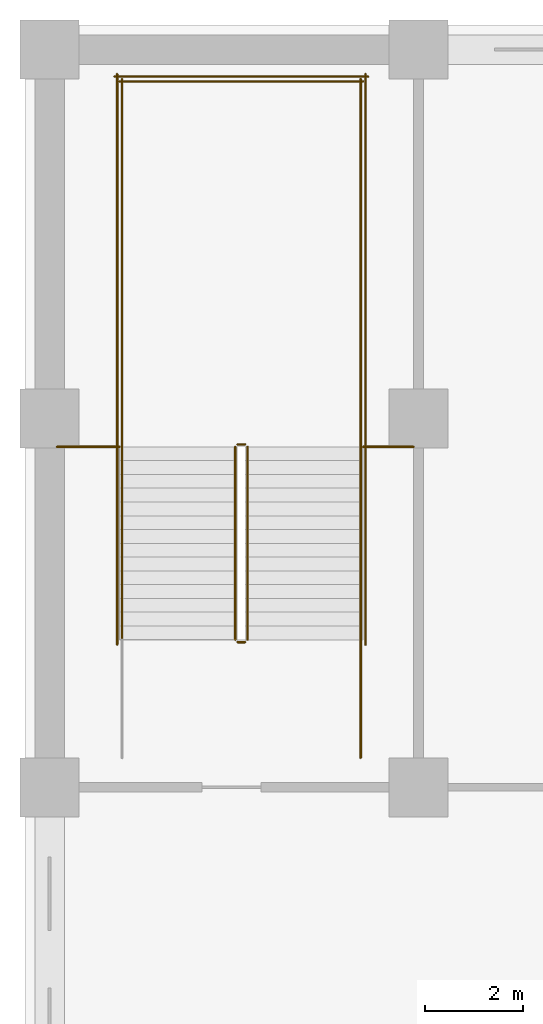
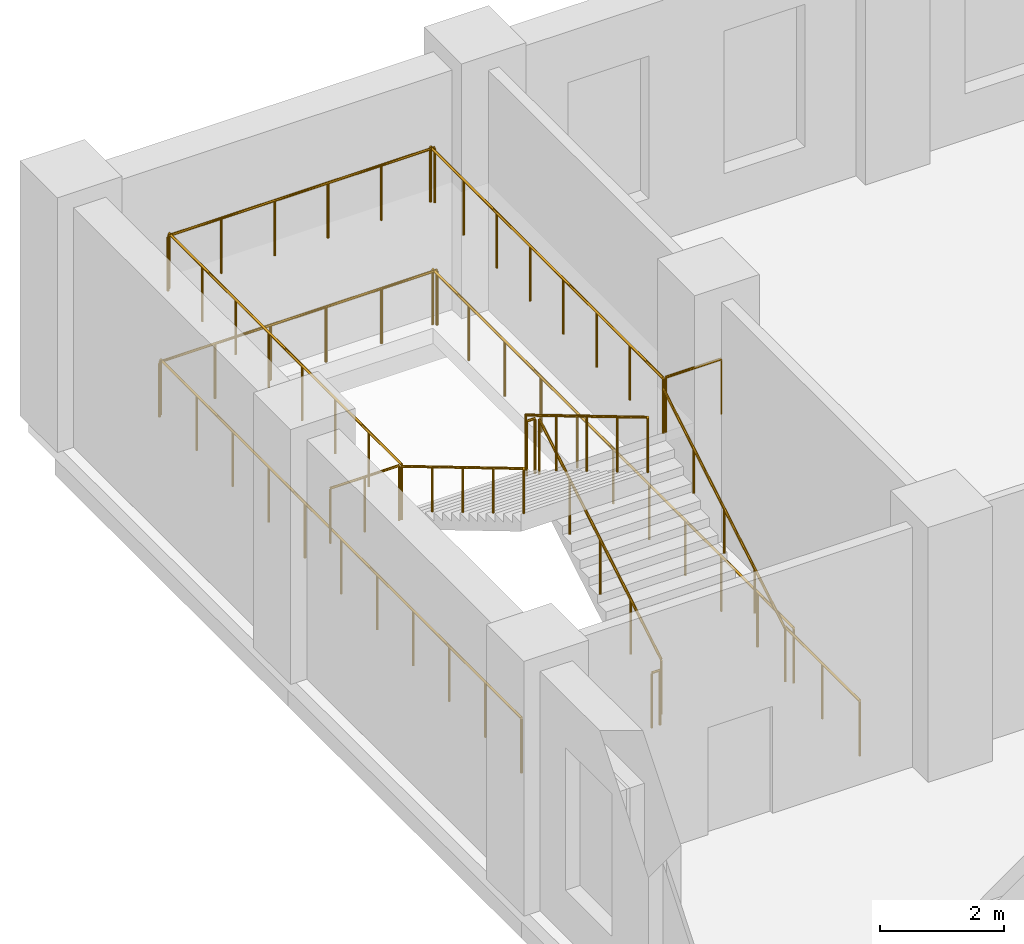
# One storey, part 21 of 22: 15 railings.
"""IFC4 building model written with IfcOpenShell, lengths in metres."""

from ifc_helpers import new_model, si_unit, direction, frame, origin, origin_2d, place, context, subcontext, project, spatial, circle, extrude, material, type_object, element, save


model = new_model("IFC4")

# Units and contexts
model_context = context("Model", 3, precision=1e-05, world=origin(), true_north=direction((0.0, 1.0)))
body_context = subcontext(model_context, "Body", "Model", "MODEL_VIEW")
ifc_project = project(units=[si_unit("LENGTHUNIT", "METRE"), si_unit("AREAUNIT", "SQUARE_METRE"), si_unit("VOLUMEUNIT", "CUBIC_METRE"), si_unit("PLANEANGLEUNIT", "RADIAN"), si_unit("MASSUNIT", "GRAM", prefix="KILO")], contexts=[model_context])

# Site, building, storey
site_placement = place(None, origin())
site = spatial("IfcSite", under=ifc_project, at=site_placement, CompositionType="ELEMENT")
building_placement = place(site_placement, origin())
building = spatial("IfcBuilding", under=site, at=building_placement, Name="Tamorin Gate", CompositionType="ELEMENT")
storey_placement = place(building_placement, frame((0.0, 0.0, 29.0)))
storey = spatial("IfcBuildingStorey", under=building, at=storey_placement, Name="L05", CompositionType="ELEMENT", Elevation=29.0)

# Railings
ifc_material = material(Name="Steel", Category="steel")
railing_type_1 = type_object("IfcRailingType", Name="Podium guard 1100", PredefinedType="GUARDRAIL", material=ifc_material)
railing_1_placement = place(storey_placement, frame((19.52490234375, 100.0, 0.166748046875)))
element("IfcRailing", 1, at=railing_1_placement, inside=storey, type_object=railing_type_1, Name="L05 PS2 stair guard 1", PredefinedType="GUARDRAIL", context=body_context, shape_type="SweptSolid", body=[
    extrude(circle(Radius=0.02392578125, at=origin_2d()), frame((0.0, 0.0, 1.076171875), z_axis=(0.0, 0.859296244711, 0.511478214419), x_axis=(-1.0, 0.0, 0.0)), (0.0, 0.0, 1.0), 4.561767578125),
    extrude(circle(Radius=0.02099609375, at=origin_2d()), origin(), (0.0, 0.0, 1.0), 1.052001953125),
    extrude(circle(Radius=0.02099609375, at=origin_2d()), frame((0.0, 0.97998046875, 0.583251953125)), (0.0, 0.0, 1.0), 1.052001953125),
    extrude(circle(Radius=0.02099609375, at=origin_2d()), frame((0.0, 1.9599609375, 1.16650390625)), (0.0, 0.0, 1.0), 1.052001953125),
    extrude(circle(Radius=0.02099609375, at=origin_2d()), frame((0.0, 2.93994140625, 1.75)), (0.0, 0.0, 1.0), 1.052001953125),
    extrude(circle(Radius=0.02099609375, at=origin_2d()), frame((0.0, 3.919921875, 2.333251953125)), (0.0, 0.0, 1.0), 1.052001953125),
])
railing_2_placement = place(storey_placement, frame((19.47509765625, 103.969970703125, 2.5)))
element("IfcRailing", 2, at=railing_2_placement, inside=storey, type_object=railing_type_1, Name="L05 PS2 stair guard 2", PredefinedType="GUARDRAIL", context=body_context, shape_type="SweptSolid", body=[
    extrude(circle(Radius=0.02392578125, at=origin_2d()), frame((0.0, 0.0, 1.076171875), z_axis=(-1.0, 0.0, 0.0), x_axis=(0.0, -1.0, 0.0)), (0.0, 0.0, 1.0), 0.150146484375),
    extrude(circle(Radius=0.02099609375, at=origin_2d()), origin(), (0.0, 0.0, 1.0), 1.052001953125),
    extrude(circle(Radius=0.02099609375, at=origin_2d()), frame((-0.150146484375, 0.0, 0.0)), (0.0, 0.0, 1.0), 1.052001953125),
])
for number, where, name in (
    (3, (21.824951171875, 103.919921875, 2.5), "L05 PS2 stair guard 3"),
    (4, (16.97509765625, 103.919921875, 2.5), "L05 PS2 stair guard 4"),
):
    element("IfcRailing", number, at=place(storey_placement, frame(where)), inside=storey, type_object=railing_type_1, Name=name, PredefinedType="GUARDRAIL", context=body_context, shape_type="SweptSolid", body=[
        extrude(circle(Radius=0.02392578125, at=origin_2d()), frame((0.0, 0.0, 1.076171875), z_axis=(0.0, 1.0, 0.0), x_axis=(-1.0, 0.0, 0.0)), (0.0, 0.0, 1.0), 7.47998046875),
        extrude(circle(Radius=0.02099609375, at=origin_2d()), origin(), (0.0, 0.0, 1.0), 1.052001953125),
        extrude(circle(Radius=0.02099609375, at=origin_2d()), frame((0.0, 1.068603515625, 0.0)), (0.0, 0.0, 1.0), 1.052001953125),
        extrude(circle(Radius=0.02099609375, at=origin_2d()), frame((0.0, 2.13720703125, 0.0)), (0.0, 0.0, 1.0), 1.052001953125),
        extrude(circle(Radius=0.02099609375, at=origin_2d()), frame((0.0, 3.205810546875, 0.0)), (0.0, 0.0, 1.0), 1.052001953125),
        extrude(circle(Radius=0.02099609375, at=origin_2d()), frame((0.0, 4.274169921875, 0.0)), (0.0, 0.0, 1.0), 1.052001953125),
        extrude(circle(Radius=0.02099609375, at=origin_2d()), frame((0.0, 5.3427734375, 0.0)), (0.0, 0.0, 1.0), 1.052001953125),
        extrude(circle(Radius=0.02099609375, at=origin_2d()), frame((0.0, 6.411376953125, 0.0)), (0.0, 0.0, 1.0), 1.052001953125),
        extrude(circle(Radius=0.02099609375, at=origin_2d()), frame((0.0, 7.47998046875, 0.0)), (0.0, 0.0, 1.0), 1.052001953125),
    ])
railing_3_placement = place(storey_placement, frame((21.875, 111.35009765625, 2.5)))
element("IfcRailing", 5, at=railing_3_placement, inside=storey, type_object=railing_type_1, Name="L05 PS2 stair guard 5", PredefinedType="GUARDRAIL", context=body_context, shape_type="SweptSolid", body=[
    extrude(circle(Radius=0.02392578125, at=origin_2d()), frame((0.0, 0.0, 1.076171875), z_axis=(-1.0, 0.0, 0.0), x_axis=(0.0, -1.0, 0.0)), (0.0, 0.0, 1.0), 4.949951171875),
    extrude(circle(Radius=0.02099609375, at=origin_2d()), origin(), (0.0, 0.0, 1.0), 1.052001953125),
    extrude(circle(Radius=0.02099609375, at=origin_2d()), frame((-0.989990234375, 0.0, 0.0)), (0.0, 0.0, 1.0), 1.052001953125),
    extrude(circle(Radius=0.02099609375, at=origin_2d()), frame((-1.97998046875, 0.0, 0.0)), (0.0, 0.0, 1.0), 1.052001953125),
    extrude(circle(Radius=0.02099609375, at=origin_2d()), frame((-2.969970703125, 0.0, 0.0)), (0.0, 0.0, 1.0), 1.052001953125),
    extrude(circle(Radius=0.02099609375, at=origin_2d()), frame((-3.9599609375, 0.0, 0.0)), (0.0, 0.0, 1.0), 1.052001953125),
    extrude(circle(Radius=0.02099609375, at=origin_2d()), frame((-4.949951171875, 0.0, 0.0)), (0.0, 0.0, 1.0), 1.052001953125),
])
railing_4_placement = place(storey_placement, frame((19.27490234375, 103.919921875, 2.666748046875)))
element("IfcRailing", 6, at=railing_4_placement, inside=storey, type_object=railing_type_1, Name="L05 PS2 stair guard 6", PredefinedType="GUARDRAIL", context=body_context, shape_type="SweptSolid", body=[
    extrude(circle(Radius=0.02392578125, at=origin_2d()), frame((0.0, 0.0, 1.076171875), z_axis=(0.0, -0.859296244711, 0.511478214419), x_axis=(1.0, 0.0, 0.0)), (0.0, 0.0, 1.0), 4.561767578125),
    extrude(circle(Radius=0.02099609375, at=origin_2d()), origin(), (0.0, 0.0, 1.0), 1.052001953125),
    extrude(circle(Radius=0.02099609375, at=origin_2d()), frame((0.0, -0.97998046875, 0.583251953125)), (0.0, 0.0, 1.0), 1.052001953125),
    extrude(circle(Radius=0.02099609375, at=origin_2d()), frame((0.0, -1.9599609375, 1.16650390625)), (0.0, 0.0, 1.0), 1.052001953125),
    extrude(circle(Radius=0.02099609375, at=origin_2d()), frame((0.0, -2.93994140625, 1.75)), (0.0, 0.0, 1.0), 1.052001953125),
    extrude(circle(Radius=0.02099609375, at=origin_2d()), frame((0.0, -3.919921875, 2.333251953125)), (0.0, 0.0, 1.0), 1.052001953125),
])
railing_5_placement = place(storey_placement, frame((19.47509765625, 99.949951171875, 0.0)))
element("IfcRailing", 7, at=railing_5_placement, inside=storey, type_object=railing_type_1, Name="L05 PS2 stair guard 7", PredefinedType="GUARDRAIL", context=body_context, shape_type="SweptSolid", body=[
    extrude(circle(Radius=0.02392578125, at=origin_2d()), frame((0.0, 0.0, 1.076171875), z_axis=(-1.0, 0.0, 0.0), x_axis=(0.0, -1.0, 0.0)), (0.0, 0.0, 1.0), 0.150146484375),
    extrude(circle(Radius=0.02099609375, at=origin_2d()), origin(), (0.0, 0.0, 1.0), 1.052001953125),
    extrude(circle(Radius=0.02099609375, at=origin_2d()), frame((-0.150146484375, 0.0, 0.0)), (0.0, 0.0, 1.0), 1.052001953125),
])
railing_6_placement = place(storey_placement, frame((21.824951171875, 97.60009765625, 0.0)))
element("IfcRailing", 8, at=railing_6_placement, inside=storey, type_object=railing_type_1, Name="L05 PS2 stair guard 8", PredefinedType="GUARDRAIL", context=body_context, shape_type="SweptSolid", body=[
    extrude(circle(Radius=0.02392578125, at=origin_2d()), frame((0.0, 0.0, 1.076171875), z_axis=(0.0, 1.0, 0.0), x_axis=(-1.0, 0.0, 0.0)), (0.0, 0.0, 1.0), 2.39990234375),
    extrude(circle(Radius=0.02099609375, at=origin_2d()), origin(), (0.0, 0.0, 1.0), 1.052001953125),
    extrude(circle(Radius=0.02099609375, at=origin_2d()), frame((0.0, 1.199951171875, 0.0)), (0.0, 0.0, 1.0), 1.052001953125),
    extrude(circle(Radius=0.02099609375, at=origin_2d()), frame((0.0, 2.39990234375, 0.0)), (0.0, 0.0, 1.0), 1.052001953125),
])
for number, where, name in (
    (9, (21.925048828125, 99.89990234375, 0.0), "L05 PS2 stair guard 10"),
    (10, (16.875, 99.89990234375, 0.0), "L05 PS2 stair guard 11"),
):
    element("IfcRailing", number, at=place(storey_placement, frame(where)), inside=storey, type_object=railing_type_1, Name=name, PredefinedType="GUARDRAIL", context=body_context, shape_type="SweptSolid", body=[
        extrude(circle(Radius=0.02392578125, at=origin_2d()), frame((0.0, 0.0, 1.076171875), z_axis=(0.0, 1.0, 0.0), x_axis=(-1.0, 0.0, 0.0)), (0.0, 0.0, 1.0), 11.60009765625),
        extrude(circle(Radius=0.02099609375, at=origin_2d()), origin(), (0.0, 0.0, 1.0), 1.052001953125),
        extrude(circle(Radius=0.02099609375, at=origin_2d()), frame((0.0, 1.159912109375, 0.0)), (0.0, 0.0, 1.0), 1.052001953125),
        extrude(circle(Radius=0.02099609375, at=origin_2d()), frame((0.0, 2.320068359375, 0.0)), (0.0, 0.0, 1.0), 1.052001953125),
        extrude(circle(Radius=0.02099609375, at=origin_2d()), frame((0.0, 3.47998046875, 0.0)), (0.0, 0.0, 1.0), 1.052001953125),
        extrude(circle(Radius=0.02099609375, at=origin_2d()), frame((0.0, 4.64013671875, 0.0)), (0.0, 0.0, 1.0), 1.052001953125),
        extrude(circle(Radius=0.02099609375, at=origin_2d()), frame((0.0, 5.800048828125, 0.0)), (0.0, 0.0, 1.0), 1.052001953125),
        extrude(circle(Radius=0.02099609375, at=origin_2d()), frame((0.0, 6.9599609375, 0.0)), (0.0, 0.0, 1.0), 1.052001953125),
        extrude(circle(Radius=0.02099609375, at=origin_2d()), frame((0.0, 8.1201171875, 0.0)), (0.0, 0.0, 1.0), 1.052001953125),
        extrude(circle(Radius=0.02099609375, at=origin_2d()), frame((0.0, 9.280029296875, 0.0)), (0.0, 0.0, 1.0), 1.052001953125),
        extrude(circle(Radius=0.02099609375, at=origin_2d()), frame((0.0, 10.440185546875, 0.0)), (0.0, 0.0, 1.0), 1.052001953125),
        extrude(circle(Radius=0.02099609375, at=origin_2d()), frame((0.0, 11.60009765625, 0.0)), (0.0, 0.0, 1.0), 1.052001953125),
    ])
railing_7_placement = place(storey_placement, frame((21.97509765625, 111.449951171875, 0.0)))
element("IfcRailing", 11, at=railing_7_placement, inside=storey, type_object=railing_type_1, Name="L05 PS2 stair guard 12", PredefinedType="GUARDRAIL", context=body_context, shape_type="SweptSolid", body=[
    extrude(circle(Radius=0.02392578125, at=origin_2d()), frame((0.0, 0.0, 1.076171875), z_axis=(-1.0, 0.0, 0.0), x_axis=(0.0, -1.0, 0.0)), (0.0, 0.0, 1.0), 5.150146484375),
    extrude(circle(Radius=0.02099609375, at=origin_2d()), origin(), (0.0, 0.0, 1.0), 1.052001953125),
    extrude(circle(Radius=0.02099609375, at=origin_2d()), frame((-1.030029296875, 0.0, 0.0)), (0.0, 0.0, 1.0), 1.052001953125),
    extrude(circle(Radius=0.02099609375, at=origin_2d()), frame((-2.06005859375, 0.0, 0.0)), (0.0, 0.0, 1.0), 1.052001953125),
    extrude(circle(Radius=0.02099609375, at=origin_2d()), frame((-3.090087890625, 0.0, 0.0)), (0.0, 0.0, 1.0), 1.052001953125),
    extrude(circle(Radius=0.02099609375, at=origin_2d()), frame((-4.1201171875, 0.0, 0.0)), (0.0, 0.0, 1.0), 1.052001953125),
    extrude(circle(Radius=0.02099609375, at=origin_2d()), frame((-5.150146484375, 0.0, 0.0)), (0.0, 0.0, 1.0), 1.052001953125),
])
railing_8_placement = place(storey_placement, frame((15.64990234375, 103.919921875, 2.5)))
element("IfcRailing", 12, at=railing_8_placement, inside=storey, type_object=railing_type_1, Name="Landing edge guard", PredefinedType="GUARDRAIL", context=body_context, shape_type="SweptSolid", body=[
    extrude(circle(Radius=0.02392578125, at=origin_2d()), frame((0.0, 0.0, 1.076171875), z_axis=(1.0, 0.0, 0.0), x_axis=(0.0, 1.0, 0.0)), (0.0, 0.0, 1.0), 1.275146484375),
    extrude(circle(Radius=0.02099609375, at=origin_2d()), origin(), (0.0, 0.0, 1.0), 1.052001953125),
    extrude(circle(Radius=0.02099609375, at=origin_2d()), frame((0.6376953125, 0.0, 0.0)), (0.0, 0.0, 1.0), 1.052001953125),
    extrude(circle(Radius=0.02099609375, at=origin_2d()), frame((1.275146484375, 0.0, 0.0)), (0.0, 0.0, 1.0), 1.052001953125),
])
railing_9_placement = place(storey_placement, frame((21.875, 103.919921875, 2.5)))
element("IfcRailing", 13, at=railing_9_placement, inside=storey, type_object=railing_type_1, Name="Landing edge guard", PredefinedType="GUARDRAIL", context=body_context, shape_type="SweptSolid", body=[
    extrude(circle(Radius=0.02392578125, at=origin_2d()), frame((0.0, 0.0, 1.076171875), z_axis=(1.0, 0.0, 0.0), x_axis=(0.0, 1.0, 0.0)), (0.0, 0.0, 1.0), 1.02490234375),
    extrude(circle(Radius=0.02099609375, at=origin_2d()), origin(), (0.0, 0.0, 1.0), 1.052001953125),
    extrude(circle(Radius=0.02099609375, at=origin_2d()), frame((1.02490234375, 0.0, 0.0)), (0.0, 0.0, 1.0), 1.052001953125),
])
railing_type_2 = type_object("IfcRailingType", Name="Podium stair handrail 900", PredefinedType="HANDRAIL", material=ifc_material)
railing_10_placement = place(storey_placement, frame((21.824951171875, 100.0, 0.166748046875)))
element("IfcRailing", 14, at=railing_10_placement, inside=storey, type_object=railing_type_2, Name="L05 PS2 stair handrail 1", PredefinedType="HANDRAIL", context=body_context, shape_type="SweptSolid", body=[
    extrude(circle(Radius=0.02392578125, at=origin_2d()), frame((0.0, 0.0, 0.8759765625), z_axis=(0.0, 0.859296244711, 0.511478214419), x_axis=(-1.0, 0.0, 0.0)), (0.0, 0.0, 1.0), 4.561767578125),
    extrude(circle(Radius=0.02099609375, at=origin_2d()), origin(), (0.0, 0.0, 1.0), 0.851806640625),
    extrude(circle(Radius=0.02099609375, at=origin_2d()), frame((0.0, 0.97998046875, 0.583251953125)), (0.0, 0.0, 1.0), 0.851806640625),
    extrude(circle(Radius=0.02099609375, at=origin_2d()), frame((0.0, 1.9599609375, 1.16650390625)), (0.0, 0.0, 1.0), 0.851806640625),
    extrude(circle(Radius=0.02099609375, at=origin_2d()), frame((0.0, 2.93994140625, 1.75)), (0.0, 0.0, 1.0), 0.851806640625),
    extrude(circle(Radius=0.02099609375, at=origin_2d()), frame((0.0, 3.919921875, 2.333251953125)), (0.0, 0.0, 1.0), 0.851806640625),
])
railing_11_placement = place(storey_placement, frame((16.97509765625, 103.919921875, 2.666748046875)))
element("IfcRailing", 15, at=railing_11_placement, inside=storey, type_object=railing_type_2, Name="L05 PS2 stair handrail 2", PredefinedType="HANDRAIL", context=body_context, shape_type="SweptSolid", body=[
    extrude(circle(Radius=0.02392578125, at=origin_2d()), frame((0.0, 0.0, 0.8759765625), z_axis=(0.0, -0.859296244711, 0.511478214419), x_axis=(1.0, 0.0, 0.0)), (0.0, 0.0, 1.0), 4.561767578125),
    extrude(circle(Radius=0.02099609375, at=origin_2d()), origin(), (0.0, 0.0, 1.0), 0.851806640625),
    extrude(circle(Radius=0.02099609375, at=origin_2d()), frame((0.0, -0.97998046875, 0.583251953125)), (0.0, 0.0, 1.0), 0.851806640625),
    extrude(circle(Radius=0.02099609375, at=origin_2d()), frame((0.0, -1.9599609375, 1.16650390625)), (0.0, 0.0, 1.0), 0.851806640625),
    extrude(circle(Radius=0.02099609375, at=origin_2d()), frame((0.0, -2.93994140625, 1.75)), (0.0, 0.0, 1.0), 0.851806640625),
    extrude(circle(Radius=0.02099609375, at=origin_2d()), frame((0.0, -3.919921875, 2.333251953125)), (0.0, 0.0, 1.0), 0.851806640625),
])

save(model, "model.ifc")
